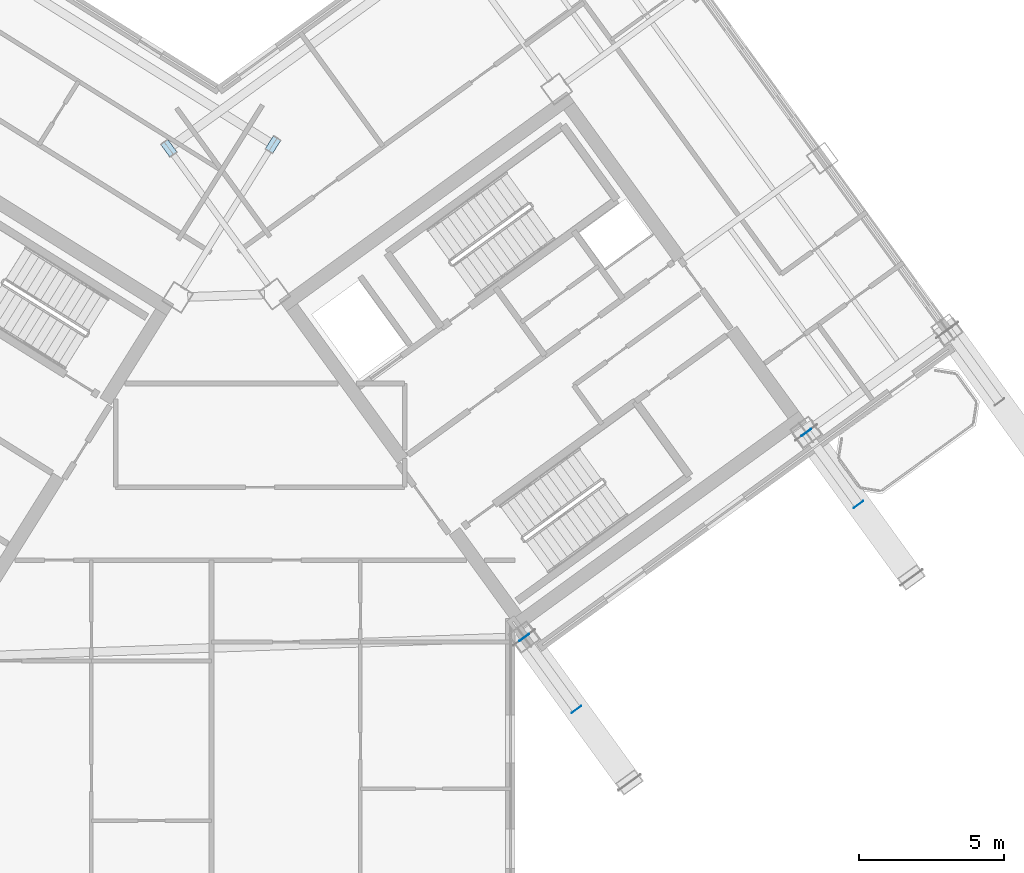
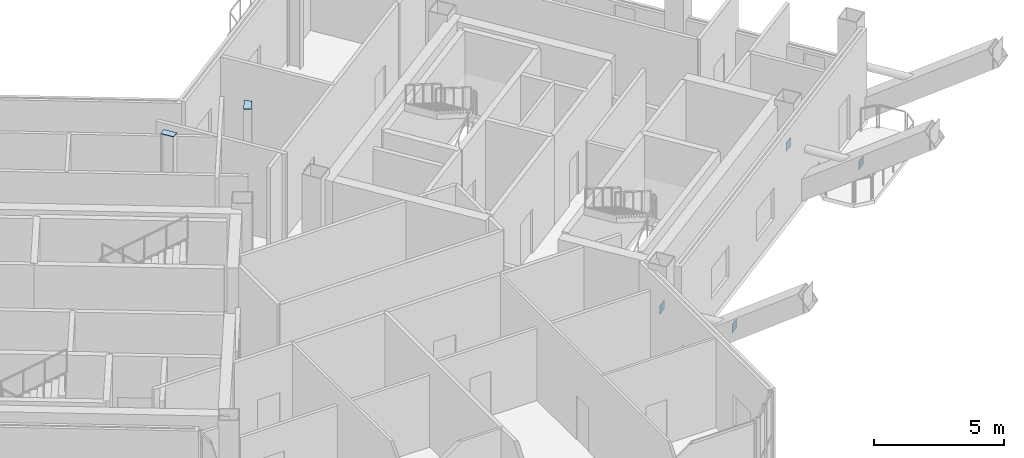
# One storey, part 19 of 34: 6 plates.
"""IFC4 building model written with IfcOpenShell, lengths in metres."""

from ifc_helpers import new_model, si_unit, direction, frame, origin, origin_2d, place, context, subcontext, project, spatial, rectangle, extrude, source, transform, mapped, material, layer, layer_set, type_object, element, save


model = new_model("IFC4")

# Units and contexts
model_context = context("Model", 3, precision=1e-05, world=origin(), true_north=direction((0.0, 1.0)))
body_context = subcontext(model_context, "Body", "Model", "MODEL_VIEW")
ifc_project = project(units=[si_unit("LENGTHUNIT", "METRE"), si_unit("AREAUNIT", "SQUARE_METRE"), si_unit("VOLUMEUNIT", "CUBIC_METRE"), si_unit("PLANEANGLEUNIT", "RADIAN"), si_unit("MASSUNIT", "GRAM", prefix="KILO")], contexts=[model_context])

# Site, building, storey
site_placement = place(None, origin())
site = spatial("IfcSite", under=ifc_project, at=site_placement, CompositionType="ELEMENT")
building_placement = place(site_placement, origin())
building = spatial("IfcBuilding", under=site, at=building_placement, Name="Tlacorven Tower", CompositionType="ELEMENT")
storey_placement = place(building_placement, frame((0.0, 0.0, 229.199951171875)))
storey = spatial("IfcBuildingStorey", under=building, at=storey_placement, Name="L58", CompositionType="ELEMENT", Elevation=229.199951171875)

# Plates
ifc_material = material(Name="Steel S460M", Category="steel")
ifc_layer = layer(ifc_material, 0.02392578125)
ifc_layer_set = layer_set([ifc_layer], Name="Steel S460M")
plate_type = type_object("IfcPlateType", Name="PL-CAP-END1", PredefinedType="USERDEFINED", material=ifc_layer_set)
shared_shape_1 = source(origin(), body_context, "Body", "SweptSolid", [
    extrude(rectangle(XDim=0.02392578125, YDim=0.40380859375, at=origin_2d()), origin(), (0.0, 0.0, 1.0), 0.40380859375),
])
for number, where, z_axis, x_axis, name in (
    (1, (52.71728515625, 12.75732421875, 2.048095703125), (0.0, 0.0, 1.0), (0.587783589039, -0.809018202797, 0.0), "L58 hollow end cap plate SBR-L58-E1 1"),
    (2, (54.515869140625, 10.28173828125, 2.048095703125), (0.0, 0.0, 1.0), (0.587783589039, -0.809018202797, 0.0), "L58 hollow end cap plate SBR-L58-E1 2"),
    (3, (62.42529296875, 19.810546875, 2.048095703125), (0.0, 0.0, 1.0), (0.587785960199, -0.80901648005, 0.0), "L58 hollow end cap plate SBR-L58-E3 1"),
    (4, (64.223876953125, 17.3349609375, 2.048095703125), (0.0, 0.0, 1.0), (0.587785960199, -0.80901648005, 0.0), "L58 hollow end cap plate SBR-L58-E3 2"),
):
    element("IfcPlate", number, at=place(storey_placement, frame(where, z_axis=z_axis, x_axis=x_axis)), inside=storey, type_object=plate_type, Name=name, ObjectType="END PLATE", PredefinedType="USERDEFINED", context=body_context, shape_type="MappedRepresentation", body=[
        mapped(shared_shape_1, transform((0.0, 0.0, 0.0), scale=1.0)),
    ])
shared_shape_2 = source(origin(), body_context, "Body", "SweptSolid", [
    extrude(rectangle(XDim=0.300048828125, YDim=0.550048828125, at=origin_2d()), origin(), (0.0, 0.0, 1.0), 0.02392578125),
])
for number, where, z_axis, x_axis, name in (
    (5, (44.068359375, 29.726318359375, 4.498046875), (0.0, 0.0, 1.0), (-0.848048096156, 0.529919264233, 0.0), "L58 Hollow Column Top Cap Plate COL-L58-W1-1"),
    (6, (40.4794921875, 29.60107421875, 4.498046875), (0.0, 0.0, 1.0), (0.809016994375, 0.587785252292, 0.0), "L58 Hollow Column Top Cap Plate COL-L58-E1-4"),
):
    element("IfcPlate", number, at=place(storey_placement, frame(where, z_axis=z_axis, x_axis=x_axis)), inside=storey, type_object=plate_type, Name=name, ObjectType="END PLATE", PredefinedType="USERDEFINED", context=body_context, shape_type="MappedRepresentation", body=[
        mapped(shared_shape_2, transform((0.0, 0.0, 0.0), scale=1.0)),
    ])

save(model, "model.ifc")
